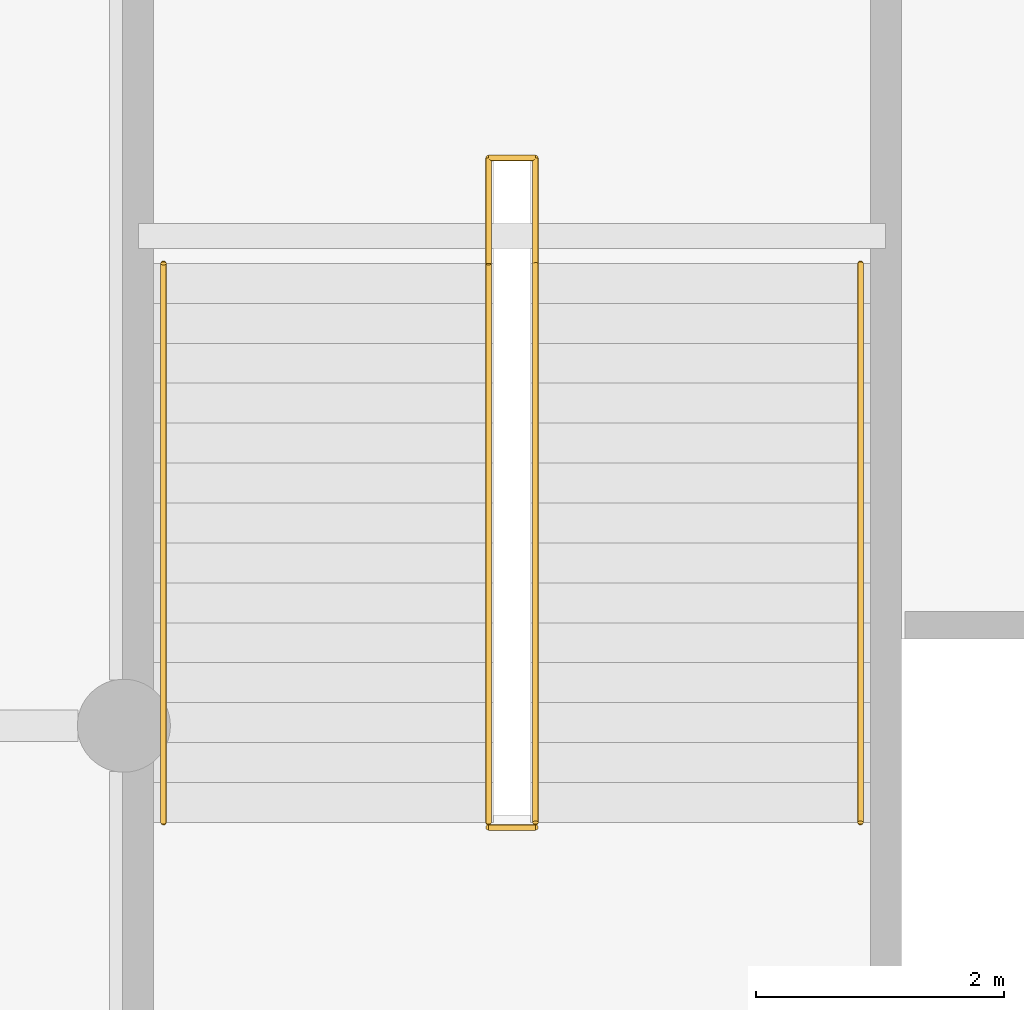
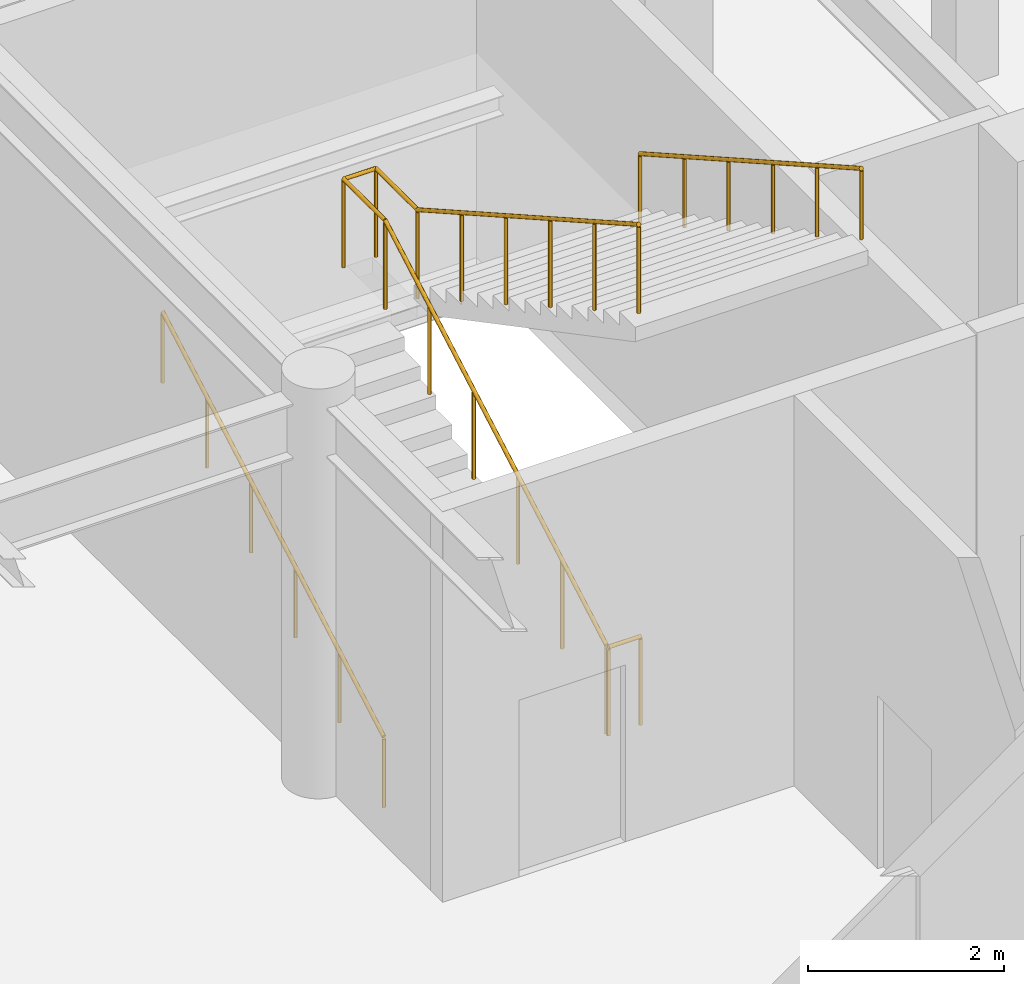
# One storey, part 125 of 128: 4 railings.
"""IFC4 building model written with IfcOpenShell, lengths in metres."""

from ifc_helpers import new_model, si_unit, direction, frame, origin, origin_2d, place, context, subcontext, project, spatial, circle, extrude, material, type_object, element, save


model = new_model("IFC4")

# Units and contexts
model_context = context("Model", 3, precision=1e-05, world=origin(), true_north=direction((0.0, 1.0)))
body_context = subcontext(model_context, "Body", "Model", "MODEL_VIEW")
ifc_project = project(units=[si_unit("LENGTHUNIT", "METRE"), si_unit("AREAUNIT", "SQUARE_METRE"), si_unit("VOLUMEUNIT", "CUBIC_METRE"), si_unit("PLANEANGLEUNIT", "RADIAN"), si_unit("MASSUNIT", "GRAM", prefix="KILO")], contexts=[model_context])

# Site, building, storey
site_placement = place(None, origin())
site = spatial("IfcSite", under=ifc_project, at=site_placement, CompositionType="ELEMENT")
building_placement = place(site_placement, origin())
building = spatial("IfcBuilding", under=site, at=building_placement, Name="Xicomal Pleat Aquarium", CompositionType="ELEMENT")
storey_placement = place(building_placement, frame((0.0, 0.0, 5.39990234375)))
storey = spatial("IfcBuildingStorey", under=building, at=storey_placement, Name="L02", CompositionType="ELEMENT", Elevation=5.39990234375)

# Railings
ifc_material_1 = material(Name="Brushed stainless steel 316L", Category="steel")
railing_type_1 = type_object("IfcRailingType", Name="RAL-HR-900", PredefinedType="HANDRAIL", material=ifc_material_1)
railing_1_placement = place(storey_placement, frame((102.919921875, 52.419921875, 0.0)))
element("IfcRailing", 1, at=railing_1_placement, inside=storey, type_object=railing_type_1, Name="ST-07-L02 flight 1 handrail", PredefinedType="HANDRAIL", context=body_context, shape_type="SweptSolid", body=[
    extrude(circle(Radius=0.02392578125, at=origin_2d()), frame((0.0, 0.0, 0.8759765625), z_axis=(0.0, 0.870395983686, 0.492352344955), x_axis=(-1.0, 0.0, 0.0)), (0.0, 0.0, 1.0), 5.17919921875),
    extrude(circle(Radius=0.02099609375, at=origin_2d()), origin(), (0.0, 0.0, 1.0), 0.851806640625),
    extrude(circle(Radius=0.02099609375, at=origin_2d()), frame((0.0, 0.901611328125, 0.510009765625)), (0.0, 0.0, 1.0), 0.851806640625),
    extrude(circle(Radius=0.02099609375, at=origin_2d()), frame((0.0, 1.80322265625, 1.02001953125)), (0.0, 0.0, 1.0), 0.851806640625),
    extrude(circle(Radius=0.02099609375, at=origin_2d()), frame((0.0, 2.704833984375, 1.530029296875)), (0.0, 0.0, 1.0), 0.851806640625),
    extrude(circle(Radius=0.02099609375, at=origin_2d()), frame((0.0, 3.6064453125, 2.0400390625)), (0.0, 0.0, 1.0), 0.851806640625),
    extrude(circle(Radius=0.02099609375, at=origin_2d()), frame((0.0, 4.508056640625, 2.550048828125)), (0.0, 0.0, 1.0), 0.851806640625),
])
railing_2_placement = place(storey_placement, frame((108.5400390625, 56.927978515625, 2.550048828125)))
element("IfcRailing", 2, at=railing_2_placement, inside=storey, type_object=railing_type_1, Name="ST-07-L02 flight 2 handrail", PredefinedType="HANDRAIL", context=body_context, shape_type="SweptSolid", body=[
    extrude(circle(Radius=0.02392578125, at=origin_2d()), frame((0.0, 0.0, 0.8759765625), z_axis=(0.0, -0.870395983686, 0.492352344955), x_axis=(1.0, 0.0, 0.0)), (0.0, 0.0, 1.0), 5.17919921875),
    extrude(circle(Radius=0.02099609375, at=origin_2d()), origin(), (0.0, 0.0, 1.0), 0.851806640625),
    extrude(circle(Radius=0.02099609375, at=origin_2d()), frame((0.0, -0.901611328125, 0.510009765625)), (0.0, 0.0, 1.0), 0.851806640625),
    extrude(circle(Radius=0.02099609375, at=origin_2d()), frame((0.0, -1.80322265625, 1.02001953125)), (0.0, 0.0, 1.0), 0.851806640625),
    extrude(circle(Radius=0.02099609375, at=origin_2d()), frame((0.0, -2.704833984375, 1.530029296875)), (0.0, 0.0, 1.0), 0.851806640625),
    extrude(circle(Radius=0.02099609375, at=origin_2d()), frame((0.0, -3.6064453125, 2.0400390625)), (0.0, 0.0, 1.0), 0.851806640625),
    extrude(circle(Radius=0.02099609375, at=origin_2d()), frame((0.0, -4.508056640625, 2.550048828125)), (0.0, 0.0, 1.0), 0.851806640625),
])
ifc_material_2 = material(Name="Brushed stainless steel 316L", Category="steel")
railing_type_2 = type_object("IfcRailingType", Name="RAL-STG-1120", PredefinedType="GUARDRAIL", material=ifc_material_2)
railing_3_placement = place(storey_placement, frame((105.5400390625, 52.419921875, 0.0)))
element("IfcRailing", 3, at=railing_3_placement, inside=storey, type_object=railing_type_2, Name="ST-07-L02 inner well guard", PredefinedType="GUARDRAIL", context=body_context, shape_type="SweptSolid", body=[
    extrude(circle(Radius=0.02392578125, at=origin_2d()), frame((0.0, 0.0, 1.09619140625), z_axis=(0.0, 0.870395983686, 0.492352344955), x_axis=(-1.0, 0.0, 0.0)), (0.0, 0.0, 1.0), 5.17919921875),
    extrude(circle(Radius=0.02392578125, at=origin_2d()), frame((0.0, 4.508056640625, 3.64599609375), z_axis=(0.0, 1.0, 0.0), x_axis=(-1.0, 0.0, 0.0)), (0.0, 0.0, 1.0), 0.85009765625),
    extrude(circle(Radius=0.02392578125, at=origin_2d()), frame((0.0, 5.358154296875, 3.64599609375), z_axis=(1.0, 0.0, 0.0), x_axis=(0.0, 1.0, 0.0)), (0.0, 0.0, 1.0), 0.3798828125),
    extrude(circle(Radius=0.02392578125, at=origin_2d()), frame((0.3798828125, 5.358154296875, 3.64599609375), z_axis=(0.0, -1.0, 0.0), x_axis=(1.0, 0.0, 0.0)), (0.0, 0.0, 1.0), 0.85009765625),
    extrude(circle(Radius=0.02392578125, at=origin_2d()), frame((0.3798828125, 4.508056640625, 3.64599609375), z_axis=(0.0, -0.870395983686, 0.492352344955), x_axis=(1.0, 0.0, 0.0)), (0.0, 0.0, 1.0), 5.17919921875),
    extrude(circle(Radius=0.02099609375, at=origin_2d()), origin(), (0.0, 0.0, 1.0), 1.072021484375),
    extrude(circle(Radius=0.02099609375, at=origin_2d()), frame((0.0, 0.901611328125, 0.510009765625)), (0.0, 0.0, 1.0), 1.072021484375),
    extrude(circle(Radius=0.02099609375, at=origin_2d()), frame((0.0, 1.80322265625, 1.02001953125)), (0.0, 0.0, 1.0), 1.072021484375),
    extrude(circle(Radius=0.02099609375, at=origin_2d()), frame((0.0, 2.704833984375, 1.530029296875)), (0.0, 0.0, 1.0), 1.072021484375),
    extrude(circle(Radius=0.02099609375, at=origin_2d()), frame((0.0, 3.6064453125, 2.0400390625)), (0.0, 0.0, 1.0), 1.072021484375),
    extrude(circle(Radius=0.02099609375, at=origin_2d()), frame((0.0, 4.508056640625, 2.550048828125)), (0.0, 0.0, 1.0), 1.072021484375),
    extrude(circle(Radius=0.02099609375, at=origin_2d()), frame((0.0, 5.358154296875, 2.550048828125)), (0.0, 0.0, 1.0), 1.072021484375),
    extrude(circle(Radius=0.02099609375, at=origin_2d()), frame((0.3798828125, 5.358154296875, 2.550048828125)), (0.0, 0.0, 1.0), 1.072021484375),
    extrude(circle(Radius=0.02099609375, at=origin_2d()), frame((0.3798828125, 4.508056640625, 2.550048828125)), (0.0, 0.0, 1.0), 1.072021484375),
    extrude(circle(Radius=0.02099609375, at=origin_2d()), frame((0.3798828125, 3.6064453125, 3.06005859375)), (0.0, 0.0, 1.0), 1.072021484375),
    extrude(circle(Radius=0.02099609375, at=origin_2d()), frame((0.3798828125, 2.704833984375, 3.570068359375)), (0.0, 0.0, 1.0), 1.072021484375),
    extrude(circle(Radius=0.02099609375, at=origin_2d()), frame((0.3798828125, 1.80322265625, 4.080078125)), (0.0, 0.0, 1.0), 1.072021484375),
    extrude(circle(Radius=0.02099609375, at=origin_2d()), frame((0.3798828125, 0.901611328125, 4.590087890625)), (0.0, 0.0, 1.0), 1.072021484375),
    extrude(circle(Radius=0.02099609375, at=origin_2d()), frame((0.3798828125, 0.0, 5.10009765625)), (0.0, 0.0, 1.0), 1.072021484375),
])
railing_4_placement = place(storey_placement, frame((105.5400390625, 52.3798828125, 0.0)))
element("IfcRailing", 4, at=railing_4_placement, inside=storey, type_object=railing_type_2, Name="ST-07-L02 floor landing slot guard", PredefinedType="GUARDRAIL", context=body_context, shape_type="SweptSolid", body=[
    extrude(circle(Radius=0.02392578125, at=origin_2d()), frame((0.0, 0.0, 1.09619140625), z_axis=(1.0, 0.0, 0.0), x_axis=(0.0, 1.0, 0.0)), (0.0, 0.0, 1.0), 0.3798828125),
    extrude(circle(Radius=0.02099609375, at=origin_2d()), origin(), (0.0, 0.0, 1.0), 1.072021484375),
    extrude(circle(Radius=0.02099609375, at=origin_2d()), frame((0.3798828125, 0.0, 0.0)), (0.0, 0.0, 1.0), 1.072021484375),
])

save(model, "model.ifc")
